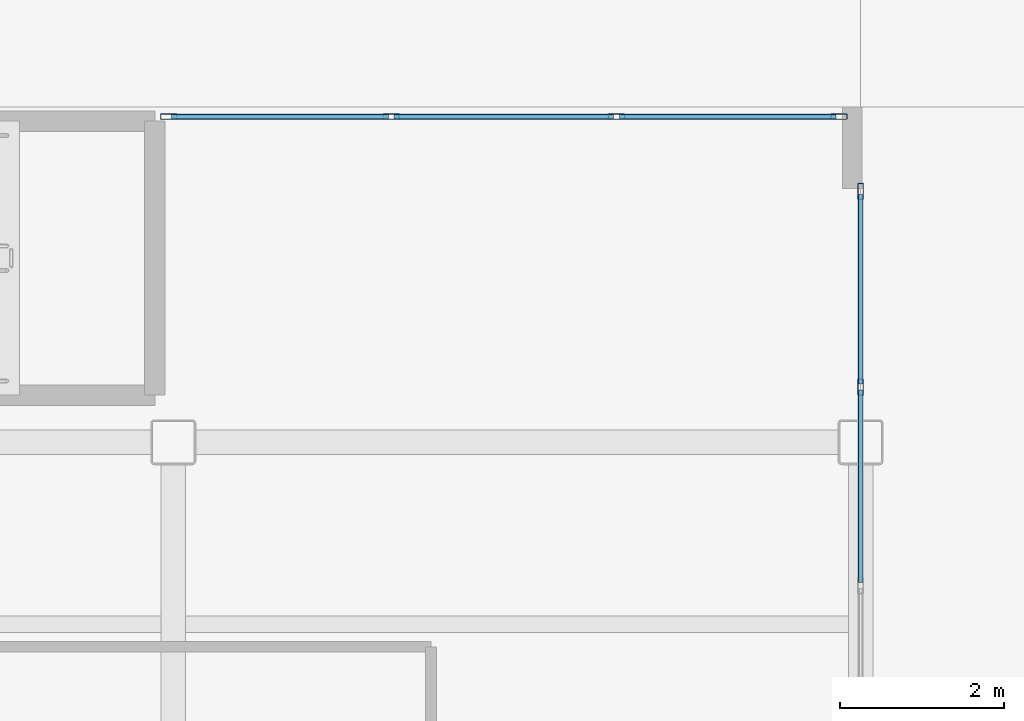
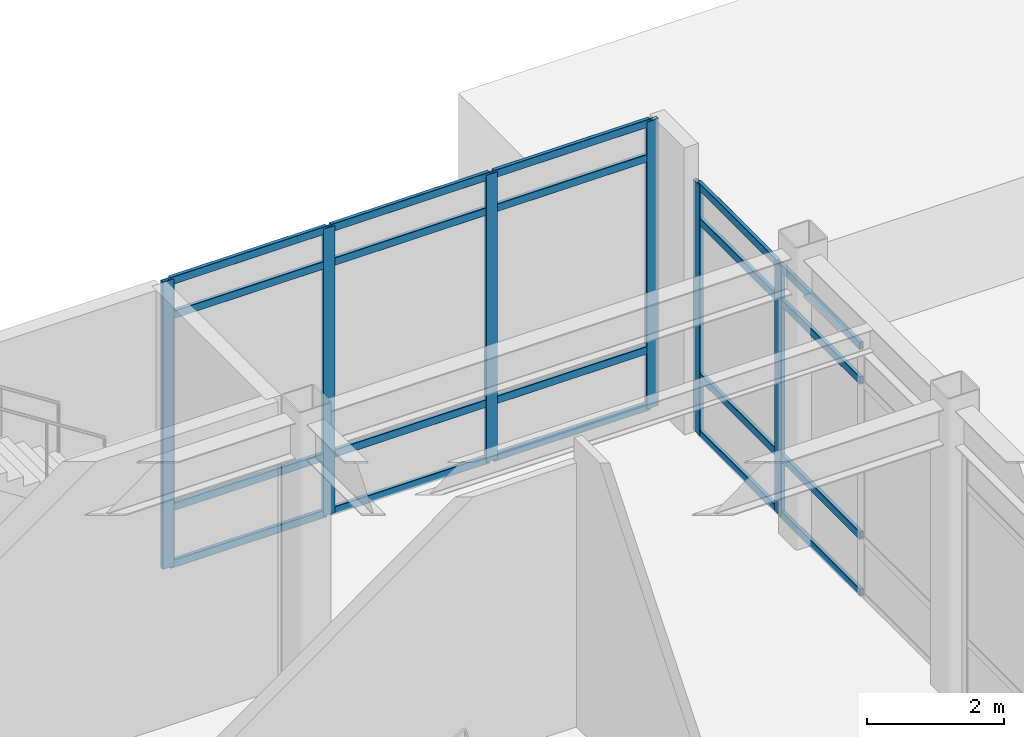
# One storey, part 81 of 165: 26 members, 2 elements without a shape of their own.
"""IFC4 building model written with IfcOpenShell, lengths in metres."""

import ifcopenshell
import ifcopenshell.guid

model = None  # the IFC model being written
_history = None  # IfcOwnerHistory: only IFC2X3 demands one
_inside = {}  # id of a spatial element -> (the spatial element, [elements in it])
_under = {}  # id of a project, library or spatial element -> (it, [spatial elements below it])
_declared = {}  # id of a project -> (the project, [libraries it declares])
_typed = {}  # id of a type object -> (the type object, [elements of that type])
_made_of = {}  # id of a material, layer set ... -> (it, [elements and type objects made of it])


def new_model(schema):
    """Start an empty IFC model of exactly this schema.

    Asked for "IFC4X3", IfcOpenShell would pick the latest addendum, in which some entities
    have other attributes; the version numbers below select the first issue.
    IFC2X3 requires an IfcOwnerHistory on every rooted entity: one is made here for all.
    """
    global model, _history
    if schema == "IFC4X3":
        model = ifcopenshell.file(schema_version=(4, 3, 0, 0))
    else:
        model = ifcopenshell.file(schema=schema)
    _inside.clear()
    _under.clear()
    _declared.clear()
    _typed.clear()
    _made_of.clear()
    _history = None
    if model.schema == "IFC2X3":
        org = make("IfcOrganization", Name="unknown")
        user = make(
            "IfcPersonAndOrganization",
            ThePerson=make("IfcPerson", FamilyName="unknown"),
            TheOrganization=org,
        )
        app = make(
            "IfcApplication",
            ApplicationDeveloper=org,
            Version="unknown",
            ApplicationFullName="unknown",
            ApplicationIdentifier="unknown",
        )
        _history = make(
            "IfcOwnerHistory",
            OwningUser=user,
            OwningApplication=app,
            ChangeAction="ADDED",
            CreationDate=0,
        )
    return model


def make(cls, **values):
    """One entity of the class cls with the attributes given. An attribute that is None is left unset."""
    return model.create_entity(
        cls, **{name: value for name, value in values.items() if value is not None}
    )


def rooted(cls, **values):
    """An entity with a GlobalId (a new one), such as an element, a storey or a relation."""
    return make(cls, GlobalId=ifcopenshell.guid.new(), OwnerHistory=_history, **values)


def si_unit(unit_type, name, prefix=None):
    """IfcSIUnit, for example si_unit("LENGTHUNIT", "METRE", prefix="MILLI")."""
    return make("IfcSIUnit", UnitType=unit_type, Prefix=prefix, Name=name)


def assignment(units):
    """IfcUnitAssignment: the units of a project."""
    return None if units is None else make("IfcUnitAssignment", Units=units)


def point(xyz):
    """IfcCartesianPoint."""
    return None if xyz is None else make("IfcCartesianPoint", Coordinates=xyz)


def direction(xyz):
    """IfcDirection."""
    return None if xyz is None else make("IfcDirection", DirectionRatios=xyz)


def frame(location, z_axis=None, x_axis=None):
    """IfcAxis2Placement3D, a coordinate frame: its origin and axes. An axis left out is left unset."""
    return make(
        "IfcAxis2Placement3D",
        Location=point(location),
        Axis=direction(z_axis),
        RefDirection=direction(x_axis),
    )


def frame_2d(location, x_axis=None):
    """IfcAxis2Placement2D, a coordinate frame in the plane: its origin and x axis."""
    return make(
        "IfcAxis2Placement2D", Location=point(location), RefDirection=direction(x_axis)
    )


def origin():
    """The frame at (0, 0, 0) with its axes left unset."""
    return frame((0.0, 0.0, 0.0))


def origin_2d():
    """The frame at (0, 0) in the plane with its x axis left unset."""
    return frame_2d((0.0, 0.0))


def place(relative_to, where):
    """IfcLocalPlacement: puts the frame where relative to a parent placement (None: the world)."""
    return make(
        "IfcLocalPlacement", PlacementRelTo=relative_to, RelativePlacement=where
    )


def context(
    kind, dimensions, precision=None, world=None, true_north=None, identifier=None
):
    """IfcGeometricRepresentationContext, for example the 3D "Model" context."""
    return make(
        "IfcGeometricRepresentationContext",
        ContextIdentifier=identifier,
        ContextType=kind,
        CoordinateSpaceDimension=dimensions,
        Precision=precision,
        WorldCoordinateSystem=world,
        TrueNorth=true_north,
    )


def subcontext(parent, identifier, kind, view, scale=None):
    """IfcGeometricRepresentationSubContext, for example "Body" below "Model"."""
    return make(
        "IfcGeometricRepresentationSubContext",
        ContextIdentifier=identifier,
        ContextType=kind,
        ParentContext=parent,
        TargetScale=scale,
        TargetView=view,
    )


def project(units=None, contexts=None):
    """IfcProject with its units and contexts."""
    return rooted(
        "IfcProject",
        Name="project",
        RepresentationContexts=contexts,
        UnitsInContext=assignment(units),
    )


def spatial(cls, under=None, at=None, **own):
    """A site, building, storey or space (cls), placed at a placement, below another one or the project."""
    s = rooted(cls, ObjectPlacement=at, **own)
    if under is not None:
        _under.setdefault(under.id(), (under, []))[1].append(s)
    return s


def profile(cls, at=None, kind="AREA", **sizes):
    """A parametric profile (cls). Its sizes go by their IFC names, for example OverallWidth=200.0."""
    return make(cls, ProfileType=kind, Position=at, **sizes)


def hollow_rectangle(**sizes):
    """IfcRectangleHollowProfileDef."""
    return profile("IfcRectangleHollowProfileDef", **sizes)


def extrude(swept, where, along, depth):
    """IfcExtrudedAreaSolid: the profile swept, set in the frame where, extruded along a direction by depth."""
    return make(
        "IfcExtrudedAreaSolid",
        SweptArea=swept,
        Position=where,
        ExtrudedDirection=direction(along),
        Depth=depth,
    )


def shape(context_of_items, identifier, shape_type, items):
    """IfcShapeRepresentation: the items that make up one representation, for example the "Body"."""
    return make(
        "IfcShapeRepresentation",
        ContextOfItems=context_of_items,
        RepresentationIdentifier=identifier,
        RepresentationType=shape_type,
        Items=items,
    )


def material(Name=None, Category=None):
    """IfcMaterial."""
    return make("IfcMaterial", Name=Name, Category=Category)


def layer(
    of_material, thickness, ventilated=None, Name=None, Category=None, Priority=None
):
    """IfcMaterialLayer: one layer of a wall or slab, of a material (None: an air gap)."""
    return make(
        "IfcMaterialLayer",
        Material=of_material,
        LayerThickness=thickness,
        IsVentilated=ventilated,
        Name=Name,
        Category=Category,
        Priority=Priority,
    )


def layer_set(layers, Name=None):
    """IfcMaterialLayerSet."""
    return make("IfcMaterialLayerSet", MaterialLayers=layers, LayerSetName=Name)


def material_profile(
    of_material, cross_section, Name=None, Category=None, Priority=None
):
    """IfcMaterialProfile: a cross section and its material."""
    return make(
        "IfcMaterialProfile",
        Name=Name,
        Material=of_material,
        Profile=cross_section,
        Priority=Priority,
        Category=Category,
    )


def profile_set(profiles, Name=None, composite=None):
    """IfcMaterialProfileSet."""
    return make(
        "IfcMaterialProfileSet",
        Name=Name,
        MaterialProfiles=profiles,
        CompositeProfile=composite,
    )


def made_of(thing, what):
    """Note that an element or type object is made of a material, layer set ...; save() writes the relation."""
    if what is not None:
        _made_of.setdefault(what.id(), (what, []))[1].append(thing)
    return thing


def type_object(cls, material=None, **own):
    """A type object (cls), such as IfcWallType, which elements share."""
    return made_of(rooted(cls, **own), material)


def element(
    cls,
    number,
    at=None,
    inside=None,
    cuts=None,
    type_object=None,
    material=None,
    context=None,
    identifier="Body",
    shape_type=None,
    held_by="IfcProductDefinitionShape",
    body=None,
    shapes=None,
    **own,
):
    """One element of the class cls, such as IfcWall. Its Tag is "e" and its number.

    at: its placement. inside: the storey or other place that contains it. cuts: it is an
    opening in that element (IfcRelVoidsElement). A single representation is given by context,
    identifier, shape_type and body (its items); several are given by shapes. held_by: the class
    of the entity that holds the representations. save() writes the other relations.
    """
    e = rooted(cls, Tag="e%d" % number, ObjectPlacement=at, **own)
    if body is not None:
        shapes = [shape(context, identifier, shape_type, body)]
    if shapes is not None:
        e.Representation = make(held_by, Representations=shapes)
    if inside is not None:
        _inside.setdefault(inside.id(), (inside, []))[1].append(e)
    if cuts is not None:
        rooted(
            "IfcRelVoidsElement", RelatingBuildingElement=cuts, RelatedOpeningElement=e
        )
    if type_object is not None:
        _typed.setdefault(type_object.id(), (type_object, []))[1].append(e)
    return made_of(e, material)


def aggregate(whole, parts):
    """IfcRelAggregates: a whole, such as a stair, and the parts it consists of."""
    return rooted("IfcRelAggregates", RelatingObject=whole, RelatedObjects=parts)


def save(model, path):
    """Write the relations noted so far, then the file.

    IfcRelAggregates (storeys below a building ...), IfcRelContainedInSpatialStructure (elements
    in a storey), IfcRelDefinesByType, IfcRelAssociatesMaterial and IfcRelDeclares: one each for
    every whole, place, type object, material and project.
    """
    for whole, parts in _under.values():
        aggregate(whole, parts)
    for where, things in _inside.values():
        rooted(
            "IfcRelContainedInSpatialStructure",
            RelatedElements=things,
            RelatingStructure=where,
        )
    for kind, things in _typed.values():
        rooted("IfcRelDefinesByType", RelatedObjects=things, RelatingType=kind)
    for what, things in _made_of.values():
        rooted("IfcRelAssociatesMaterial", RelatedObjects=things, RelatingMaterial=what)
    for by, libraries in _declared.values():
        rooted("IfcRelDeclares", RelatingContext=by, RelatedDefinitions=libraries)
    model.write(path)


model = new_model("IFC4")

# Units and contexts
model_context = context("Model", 3, precision=1e-05, world=origin(), true_north=direction((0.0, 1.0)))
body_context = subcontext(model_context, "Body", "Model", "MODEL_VIEW")
ifc_project = project(units=[si_unit("LENGTHUNIT", "METRE"), si_unit("AREAUNIT", "SQUARE_METRE"), si_unit("VOLUMEUNIT", "CUBIC_METRE"), si_unit("PLANEANGLEUNIT", "RADIAN"), si_unit("MASSUNIT", "GRAM", prefix="KILO")], contexts=[model_context])

# Site, building, storey
site_placement = place(None, origin())
site = spatial("IfcSite", under=ifc_project, at=site_placement, CompositionType="ELEMENT")
building_placement = place(site_placement, origin())
building = spatial("IfcBuilding", under=site, at=building_placement, Name="Kazehara Bluff Congress Hotel", CompositionType="ELEMENT")
storey_placement = place(building_placement, origin())
storey = spatial("IfcBuildingStorey", under=building, at=storey_placement, Name="L00", CompositionType="ELEMENT", Elevation=0.0)

# Curtain wall, members
ifc_material_1 = material(Name="Anodised aluminium", Category="aluminium")
ifc_layer_1 = layer(ifc_material_1, 0.159912109375)
ifc_layer_set_1 = layer_set([ifc_layer_1], Name="Anodised aluminium")
curtain_wall_type_1 = type_object("IfcCurtainWallType", Name="TP-CW-42", PredefinedType="NOTDEFINED", material=ifc_layer_set_1)
curtain_wall_1_placement = place(storey_placement, origin())
curtain_wall_1 = element("IfcCurtainWall", 1, at=curtain_wall_1_placement, inside=storey, type_object=curtain_wall_type_1, Name="L00 curtain wall CW-42 CW-V3-L00-X10125-10572", PredefinedType="NOTDEFINED")
ifc_material_2 = material(Name="Anodised aluminium", Category="aluminium")
ifc_material_profile_1 = material_profile(ifc_material_2, hollow_rectangle(XDim=0.070068359375, YDim=0.199951171875, WallThickness=0.0048828125, InnerFilletRadius=0.0048828125, OuterFilletRadius=0.010009765625, at=origin_2d()))
ifc_profile_set_1 = profile_set([ifc_material_profile_1], Name="Anodised aluminium")
member_type_1 = type_object("IfcMemberType", Name="TP-CWM-03", PredefinedType="MULLION", material=ifc_profile_set_1)
member_1_placement = place(storey_placement, frame((101.25, 110.574951171875, 0.0), z_axis=(0.0, 0.0, 1.0), x_axis=(-1.0, 0.0, 0.0)))
member_1 = element("IfcMember", 2, at=member_1_placement, type_object=member_type_1, Name="CW-42 mullion 3", PredefinedType="MULLION", context=body_context, shape_type="SweptSolid", body=[
    extrude(hollow_rectangle(XDim=0.070068359375, YDim=0.199951171875, WallThickness=0.0048828125, InnerFilletRadius=0.0048828125, OuterFilletRadius=0.010009765625, at=origin_2d()), origin(), (0.0, 0.0, 1.0), 4.47509765625),
])
member_2_placement = place(storey_placement, frame((101.25, 112.965087890625, 0.0), z_axis=(0.0, 0.0, 1.0), x_axis=(-1.0, 0.0, 0.0)))
member_2 = element("IfcMember", 3, at=member_2_placement, type_object=member_type_1, Name="CW-42 mullion 4", PredefinedType="MULLION", context=body_context, shape_type="SweptSolid", body=[
    extrude(hollow_rectangle(XDim=0.070068359375, YDim=0.199951171875, WallThickness=0.0048828125, InnerFilletRadius=0.0048828125, OuterFilletRadius=0.010009765625, at=origin_2d()), origin(), (0.0, 0.0, 1.0), 4.47509765625),
])

ifc_material_3 = material(Name="Anodised aluminium", Category="aluminium")
ifc_layer_2 = layer(ifc_material_3, 0.159912109375)
ifc_layer_set_2 = layer_set([ifc_layer_2], Name="Anodised aluminium")
curtain_wall_type_2 = type_object("IfcCurtainWallType", Name="TP-CW-98", PredefinedType="NOTDEFINED", material=ifc_layer_set_2)
curtain_wall_2_placement = place(storey_placement, origin())
curtain_wall_2 = element("IfcCurtainWall", 4, at=curtain_wall_2_placement, inside=storey, type_object=curtain_wall_type_2, Name="L00 curtain wall CW-98 CW-ENC-V3-L00-9689-11388", PredefinedType="NOTDEFINED")
member_3_placement = place(storey_placement, frame((92.794921875, 113.8798828125, 0.0), z_axis=(0.0, 0.0, 1.0), x_axis=(0.0, 1.0, 0.0)))
member_3 = element("IfcMember", 5, at=member_3_placement, type_object=member_type_1, Name="CW-98 mullion 1", PredefinedType="MULLION", context=body_context, shape_type="SweptSolid", body=[
    extrude(hollow_rectangle(XDim=0.070068359375, YDim=0.199951171875, WallThickness=0.0048828125, InnerFilletRadius=0.0048828125, OuterFilletRadius=0.010009765625, at=origin_2d()), origin(), (0.0, 0.0, 1.0), 5.135009765625),
])
member_4_placement = place(storey_placement, frame((95.513427734375, 113.8798828125, 0.0), z_axis=(0.0, 0.0, 1.0), x_axis=(0.0, 1.0, 0.0)))
member_4 = element("IfcMember", 6, at=member_4_placement, type_object=member_type_1, Name="CW-98 mullion 2", PredefinedType="MULLION", context=body_context, shape_type="SweptSolid", body=[
    extrude(hollow_rectangle(XDim=0.070068359375, YDim=0.199951171875, WallThickness=0.0048828125, InnerFilletRadius=0.0048828125, OuterFilletRadius=0.010009765625, at=origin_2d()), origin(), (0.0, 0.0, 1.0), 5.135009765625),
])
member_5_placement = place(storey_placement, frame((98.2666015625, 113.8798828125, 0.0), z_axis=(0.0, 0.0, 1.0), x_axis=(0.0, 1.0, 0.0)))
member_5 = element("IfcMember", 7, at=member_5_placement, type_object=member_type_1, Name="CW-98 mullion 3", PredefinedType="MULLION", context=body_context, shape_type="SweptSolid", body=[
    extrude(hollow_rectangle(XDim=0.070068359375, YDim=0.199951171875, WallThickness=0.0048828125, InnerFilletRadius=0.0048828125, OuterFilletRadius=0.010009765625, at=origin_2d()), origin(), (0.0, 0.0, 1.0), 5.135009765625),
])
member_6_placement = place(storey_placement, frame((100.985107421875, 113.8798828125, 0.0), z_axis=(0.0, 0.0, 1.0), x_axis=(0.0, 1.0, 0.0)))
member_6 = element("IfcMember", 8, at=member_6_placement, type_object=member_type_1, Name="CW-98 mullion 4", PredefinedType="MULLION", context=body_context, shape_type="SweptSolid", body=[
    extrude(hollow_rectangle(XDim=0.070068359375, YDim=0.199951171875, WallThickness=0.0048828125, InnerFilletRadius=0.0048828125, OuterFilletRadius=0.010009765625, at=origin_2d()), origin(), (0.0, 0.0, 1.0), 5.135009765625),
])

# Member
ifc_material_4 = material(Name="Anodised aluminium", Category="aluminium")
ifc_material_profile_2 = material_profile(ifc_material_4, hollow_rectangle(XDim=0.06494140625, YDim=0.139892578125, WallThickness=0.00390625, InnerFilletRadius=0.00390625, OuterFilletRadius=0.008056640625, at=origin_2d()))
ifc_profile_set_2 = profile_set([ifc_material_profile_2], Name="Anodised aluminium")
member_type_2 = type_object("IfcMemberType", Name="TP-CWT-02", PredefinedType="USERDEFINED", material=ifc_profile_set_2)
member_7_placement = place(storey_placement, frame((101.25, 108.18505859375, 0.032470703125), z_axis=(0.0, 1.0, 0.0), x_axis=(-1.0, 0.0, 0.0)))
member_7 = element("IfcMember", 9, at=member_7_placement, type_object=member_type_2, Name="CW-42 transom 2.1", ObjectType="TRANSOM", PredefinedType="USERDEFINED", context=body_context, shape_type="SweptSolid", body=[
    extrude(hollow_rectangle(XDim=0.06494140625, YDim=0.139892578125, WallThickness=0.00390625, InnerFilletRadius=0.00390625, OuterFilletRadius=0.008056640625, at=origin_2d()), origin(), (0.0, 0.0, 1.0), 2.35498046875),
])

member_8_placement = place(storey_placement, frame((101.25, 108.18505859375, 1.050048828125), z_axis=(0.0, 1.0, 0.0), x_axis=(-1.0, 0.0, 0.0)))
member_8 = element("IfcMember", 10, at=member_8_placement, type_object=member_type_2, Name="CW-42 transom 2.2", ObjectType="TRANSOM", PredefinedType="USERDEFINED", context=body_context, shape_type="SweptSolid", body=[
    extrude(hollow_rectangle(XDim=0.06494140625, YDim=0.139892578125, WallThickness=0.00390625, InnerFilletRadius=0.00390625, OuterFilletRadius=0.008056640625, at=origin_2d()), origin(), (0.0, 0.0, 1.0), 2.35498046875),
])

member_9_placement = place(storey_placement, frame((101.25, 108.18505859375, 3.824951171875), z_axis=(0.0, 1.0, 0.0), x_axis=(-1.0, 0.0, 0.0)))
member_9 = element("IfcMember", 11, at=member_9_placement, type_object=member_type_2, Name="CW-42 transom 2.3", ObjectType="TRANSOM", PredefinedType="USERDEFINED", context=body_context, shape_type="SweptSolid", body=[
    extrude(hollow_rectangle(XDim=0.06494140625, YDim=0.139892578125, WallThickness=0.00390625, InnerFilletRadius=0.00390625, OuterFilletRadius=0.008056640625, at=origin_2d()), origin(), (0.0, 0.0, 1.0), 2.35498046875),
])

member_10_placement = place(storey_placement, frame((101.25, 108.18505859375, 4.4423828125), z_axis=(0.0, 1.0, 0.0), x_axis=(-1.0, 0.0, 0.0)))
member_10 = element("IfcMember", 12, at=member_10_placement, type_object=member_type_2, Name="CW-42 transom 2.4", ObjectType="TRANSOM", PredefinedType="USERDEFINED", context=body_context, shape_type="SweptSolid", body=[
    extrude(hollow_rectangle(XDim=0.06494140625, YDim=0.139892578125, WallThickness=0.00390625, InnerFilletRadius=0.00390625, OuterFilletRadius=0.008056640625, at=origin_2d()), origin(), (0.0, 0.0, 1.0), 2.35498046875),
])

member_11_placement = place(storey_placement, frame((101.25, 110.610107421875, 0.032470703125), z_axis=(0.0, 1.0, 0.0), x_axis=(-1.0, 0.0, 0.0)))
member_11 = element("IfcMember", 13, at=member_11_placement, type_object=member_type_2, Name="CW-42 transom 3.1", ObjectType="TRANSOM", PredefinedType="USERDEFINED", context=body_context, shape_type="SweptSolid", body=[
    extrude(hollow_rectangle(XDim=0.06494140625, YDim=0.139892578125, WallThickness=0.00390625, InnerFilletRadius=0.00390625, OuterFilletRadius=0.008056640625, at=origin_2d()), origin(), (0.0, 0.0, 1.0), 2.31982421875),
])

member_12_placement = place(storey_placement, frame((101.25, 110.610107421875, 1.050048828125), z_axis=(0.0, 1.0, 0.0), x_axis=(-1.0, 0.0, 0.0)))
member_12 = element("IfcMember", 14, at=member_12_placement, type_object=member_type_2, Name="CW-42 transom 3.2", ObjectType="TRANSOM", PredefinedType="USERDEFINED", context=body_context, shape_type="SweptSolid", body=[
    extrude(hollow_rectangle(XDim=0.06494140625, YDim=0.139892578125, WallThickness=0.00390625, InnerFilletRadius=0.00390625, OuterFilletRadius=0.008056640625, at=origin_2d()), origin(), (0.0, 0.0, 1.0), 2.31982421875),
])

member_13_placement = place(storey_placement, frame((101.25, 110.610107421875, 3.824951171875), z_axis=(0.0, 1.0, 0.0), x_axis=(-1.0, 0.0, 0.0)))
member_13 = element("IfcMember", 15, at=member_13_placement, type_object=member_type_2, Name="CW-42 transom 3.3", ObjectType="TRANSOM", PredefinedType="USERDEFINED", context=body_context, shape_type="SweptSolid", body=[
    extrude(hollow_rectangle(XDim=0.06494140625, YDim=0.139892578125, WallThickness=0.00390625, InnerFilletRadius=0.00390625, OuterFilletRadius=0.008056640625, at=origin_2d()), origin(), (0.0, 0.0, 1.0), 2.31982421875),
])

member_14_placement = place(storey_placement, frame((101.25, 110.610107421875, 4.4423828125), z_axis=(0.0, 1.0, 0.0), x_axis=(-1.0, 0.0, 0.0)))
member_14 = element("IfcMember", 16, at=member_14_placement, type_object=member_type_2, Name="CW-42 transom 3.4", ObjectType="TRANSOM", PredefinedType="USERDEFINED", context=body_context, shape_type="SweptSolid", body=[
    extrude(hollow_rectangle(XDim=0.06494140625, YDim=0.139892578125, WallThickness=0.00390625, InnerFilletRadius=0.00390625, OuterFilletRadius=0.008056640625, at=origin_2d()), origin(), (0.0, 0.0, 1.0), 2.31982421875),
])

aggregate(curtain_wall_1, [member_1, member_2, member_7, member_8, member_9, member_10, member_11, member_12, member_13, member_14])

member_15_placement = place(storey_placement, frame((92.830078125, 113.8798828125, 0.032470703125), z_axis=(1.0, 0.0, 0.0), x_axis=(0.0, 1.0, 0.0)))
member_15 = element("IfcMember", 17, at=member_15_placement, type_object=member_type_2, Name="CW-98 transom 1.1", ObjectType="TRANSOM", PredefinedType="USERDEFINED", context=body_context, shape_type="SweptSolid", body=[
    extrude(hollow_rectangle(XDim=0.06494140625, YDim=0.139892578125, WallThickness=0.00390625, InnerFilletRadius=0.00390625, OuterFilletRadius=0.008056640625, at=origin_2d()), origin(), (0.0, 0.0, 1.0), 2.648193359375),
])

member_16_placement = place(storey_placement, frame((92.830078125, 113.8798828125, 1.050048828125), z_axis=(1.0, 0.0, 0.0), x_axis=(0.0, 1.0, 0.0)))
member_16 = element("IfcMember", 18, at=member_16_placement, type_object=member_type_2, Name="CW-98 transom 1.2", ObjectType="TRANSOM", PredefinedType="USERDEFINED", context=body_context, shape_type="SweptSolid", body=[
    extrude(hollow_rectangle(XDim=0.06494140625, YDim=0.139892578125, WallThickness=0.00390625, InnerFilletRadius=0.00390625, OuterFilletRadius=0.008056640625, at=origin_2d()), origin(), (0.0, 0.0, 1.0), 2.648193359375),
])

member_17_placement = place(storey_placement, frame((92.830078125, 113.8798828125, 4.485107421875), z_axis=(1.0, 0.0, 0.0), x_axis=(0.0, 1.0, 0.0)))
member_17 = element("IfcMember", 19, at=member_17_placement, type_object=member_type_2, Name="CW-98 transom 1.3", ObjectType="TRANSOM", PredefinedType="USERDEFINED", context=body_context, shape_type="SweptSolid", body=[
    extrude(hollow_rectangle(XDim=0.06494140625, YDim=0.139892578125, WallThickness=0.00390625, InnerFilletRadius=0.00390625, OuterFilletRadius=0.008056640625, at=origin_2d()), origin(), (0.0, 0.0, 1.0), 2.648193359375),
])

member_18_placement = place(storey_placement, frame((92.830078125, 113.8798828125, 5.1025390625), z_axis=(1.0, 0.0, 0.0), x_axis=(0.0, 1.0, 0.0)))
member_18 = element("IfcMember", 20, at=member_18_placement, type_object=member_type_2, Name="CW-98 transom 1.4", ObjectType="TRANSOM", PredefinedType="USERDEFINED", context=body_context, shape_type="SweptSolid", body=[
    extrude(hollow_rectangle(XDim=0.06494140625, YDim=0.139892578125, WallThickness=0.00390625, InnerFilletRadius=0.00390625, OuterFilletRadius=0.008056640625, at=origin_2d()), origin(), (0.0, 0.0, 1.0), 2.648193359375),
])

member_19_placement = place(storey_placement, frame((95.54833984375, 113.8798828125, 0.032470703125), z_axis=(1.0, 0.0, 0.0), x_axis=(0.0, 1.0, 0.0)))
member_19 = element("IfcMember", 21, at=member_19_placement, type_object=member_type_2, Name="CW-98 transom 2.1", ObjectType="TRANSOM", PredefinedType="USERDEFINED", context=body_context, shape_type="SweptSolid", body=[
    extrude(hollow_rectangle(XDim=0.06494140625, YDim=0.139892578125, WallThickness=0.00390625, InnerFilletRadius=0.00390625, OuterFilletRadius=0.008056640625, at=origin_2d()), origin(), (0.0, 0.0, 1.0), 2.683349609375),
])

member_20_placement = place(storey_placement, frame((95.54833984375, 113.8798828125, 1.050048828125), z_axis=(1.0, 0.0, 0.0), x_axis=(0.0, 1.0, 0.0)))
member_20 = element("IfcMember", 22, at=member_20_placement, type_object=member_type_2, Name="CW-98 transom 2.2", ObjectType="TRANSOM", PredefinedType="USERDEFINED", context=body_context, shape_type="SweptSolid", body=[
    extrude(hollow_rectangle(XDim=0.06494140625, YDim=0.139892578125, WallThickness=0.00390625, InnerFilletRadius=0.00390625, OuterFilletRadius=0.008056640625, at=origin_2d()), origin(), (0.0, 0.0, 1.0), 2.683349609375),
])

member_21_placement = place(storey_placement, frame((95.54833984375, 113.8798828125, 4.485107421875), z_axis=(1.0, 0.0, 0.0), x_axis=(0.0, 1.0, 0.0)))
member_21 = element("IfcMember", 23, at=member_21_placement, type_object=member_type_2, Name="CW-98 transom 2.3", ObjectType="TRANSOM", PredefinedType="USERDEFINED", context=body_context, shape_type="SweptSolid", body=[
    extrude(hollow_rectangle(XDim=0.06494140625, YDim=0.139892578125, WallThickness=0.00390625, InnerFilletRadius=0.00390625, OuterFilletRadius=0.008056640625, at=origin_2d()), origin(), (0.0, 0.0, 1.0), 2.683349609375),
])

member_22_placement = place(storey_placement, frame((95.54833984375, 113.8798828125, 5.1025390625), z_axis=(1.0, 0.0, 0.0), x_axis=(0.0, 1.0, 0.0)))
member_22 = element("IfcMember", 24, at=member_22_placement, type_object=member_type_2, Name="CW-98 transom 2.4", ObjectType="TRANSOM", PredefinedType="USERDEFINED", context=body_context, shape_type="SweptSolid", body=[
    extrude(hollow_rectangle(XDim=0.06494140625, YDim=0.139892578125, WallThickness=0.00390625, InnerFilletRadius=0.00390625, OuterFilletRadius=0.008056640625, at=origin_2d()), origin(), (0.0, 0.0, 1.0), 2.683349609375),
])

member_23_placement = place(storey_placement, frame((98.3017578125, 113.8798828125, 0.032470703125), z_axis=(1.0, 0.0, 0.0), x_axis=(0.0, 1.0, 0.0)))
member_23 = element("IfcMember", 25, at=member_23_placement, type_object=member_type_2, Name="CW-98 transom 3.1", ObjectType="TRANSOM", PredefinedType="USERDEFINED", context=body_context, shape_type="SweptSolid", body=[
    extrude(hollow_rectangle(XDim=0.06494140625, YDim=0.139892578125, WallThickness=0.00390625, InnerFilletRadius=0.00390625, OuterFilletRadius=0.008056640625, at=origin_2d()), origin(), (0.0, 0.0, 1.0), 2.648193359375),
])

member_24_placement = place(storey_placement, frame((98.3017578125, 113.8798828125, 1.050048828125), z_axis=(1.0, 0.0, 0.0), x_axis=(0.0, 1.0, 0.0)))
member_24 = element("IfcMember", 26, at=member_24_placement, type_object=member_type_2, Name="CW-98 transom 3.2", ObjectType="TRANSOM", PredefinedType="USERDEFINED", context=body_context, shape_type="SweptSolid", body=[
    extrude(hollow_rectangle(XDim=0.06494140625, YDim=0.139892578125, WallThickness=0.00390625, InnerFilletRadius=0.00390625, OuterFilletRadius=0.008056640625, at=origin_2d()), origin(), (0.0, 0.0, 1.0), 2.648193359375),
])

member_25_placement = place(storey_placement, frame((98.3017578125, 113.8798828125, 4.485107421875), z_axis=(1.0, 0.0, 0.0), x_axis=(0.0, 1.0, 0.0)))
member_25 = element("IfcMember", 27, at=member_25_placement, type_object=member_type_2, Name="CW-98 transom 3.3", ObjectType="TRANSOM", PredefinedType="USERDEFINED", context=body_context, shape_type="SweptSolid", body=[
    extrude(hollow_rectangle(XDim=0.06494140625, YDim=0.139892578125, WallThickness=0.00390625, InnerFilletRadius=0.00390625, OuterFilletRadius=0.008056640625, at=origin_2d()), origin(), (0.0, 0.0, 1.0), 2.648193359375),
])

member_26_placement = place(storey_placement, frame((98.3017578125, 113.8798828125, 5.1025390625), z_axis=(1.0, 0.0, 0.0), x_axis=(0.0, 1.0, 0.0)))
member_26 = element("IfcMember", 28, at=member_26_placement, type_object=member_type_2, Name="CW-98 transom 3.4", ObjectType="TRANSOM", PredefinedType="USERDEFINED", context=body_context, shape_type="SweptSolid", body=[
    extrude(hollow_rectangle(XDim=0.06494140625, YDim=0.139892578125, WallThickness=0.00390625, InnerFilletRadius=0.00390625, OuterFilletRadius=0.008056640625, at=origin_2d()), origin(), (0.0, 0.0, 1.0), 2.648193359375),
])

aggregate(curtain_wall_2, [member_3, member_4, member_5, member_6, member_15, member_16, member_17, member_18, member_19, member_20, member_21, member_22, member_23, member_24, member_25, member_26])

save(model, "model.ifc")
